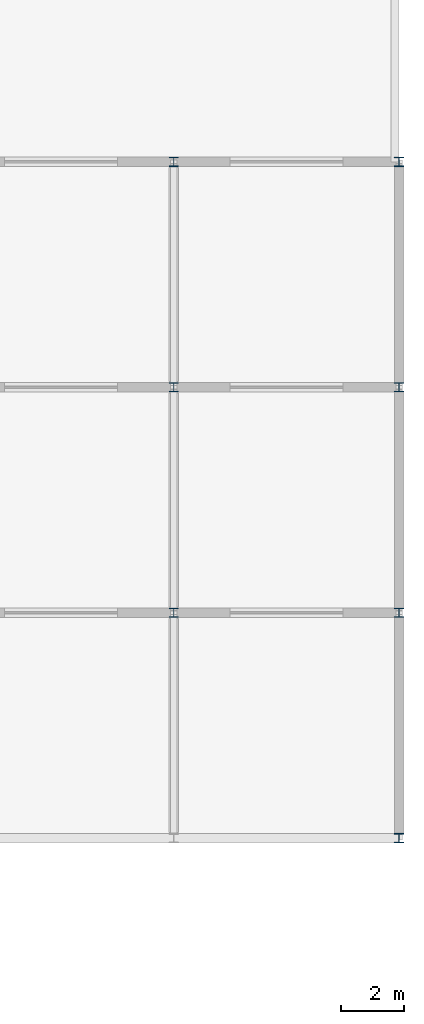
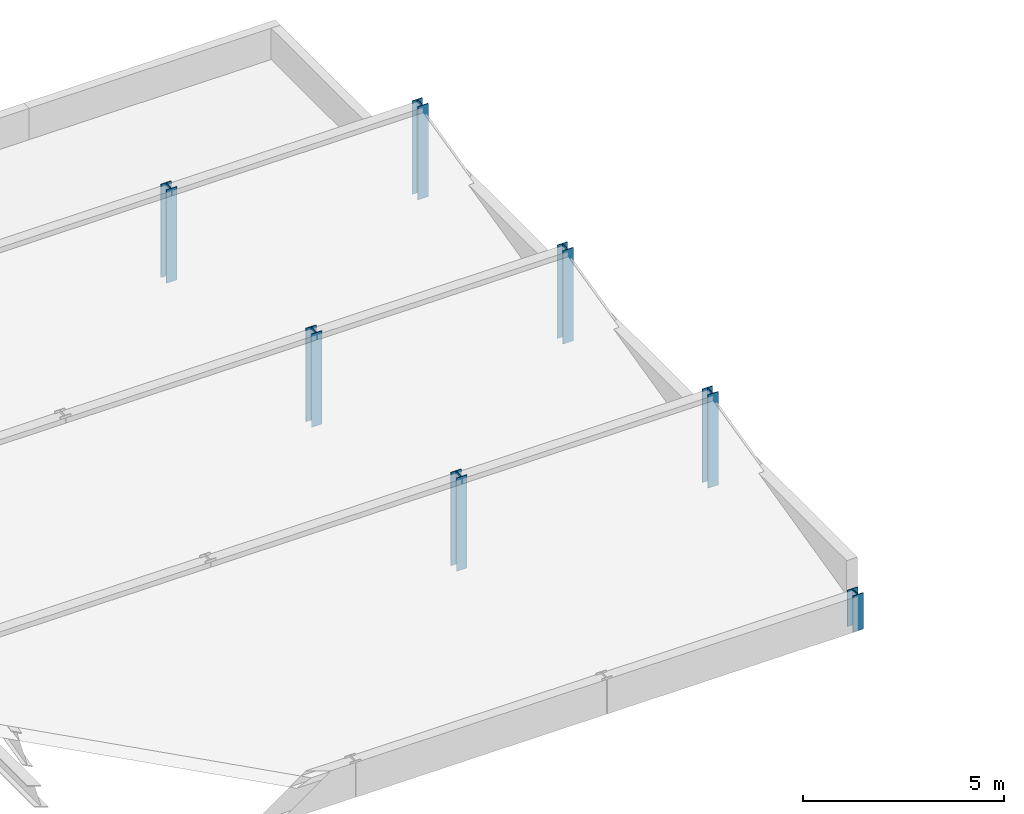
# One storey, part 6 of 19: 7 columns.
"""IFC4 building model written with IfcOpenShell, lengths in metres."""

from ifc_helpers import new_model, si_unit, direction, frame, origin, origin_2d, place, context, subcontext, project, spatial, i_section, extrude, material, material_profile, profile_set, type_object, element, save


model = new_model("IFC4")

# Units and contexts
model_context = context("Model", 3, precision=1e-05, world=origin(), true_north=direction((0.0, 1.0)))
body_context = subcontext(model_context, "Body", "Model", "MODEL_VIEW")
ifc_project = project(units=[si_unit("LENGTHUNIT", "METRE"), si_unit("AREAUNIT", "SQUARE_METRE"), si_unit("VOLUMEUNIT", "CUBIC_METRE"), si_unit("PLANEANGLEUNIT", "RADIAN"), si_unit("MASSUNIT", "GRAM", prefix="KILO")], contexts=[model_context])

# Site, building, storey
site_placement = place(None, origin())
site = spatial("IfcSite", under=ifc_project, at=site_placement, CompositionType="ELEMENT")
building_placement = place(site_placement, origin())
building = spatial("IfcBuilding", under=site, at=building_placement, Name="Thalmaran Polytechnic", CompositionType="ELEMENT")
storey_placement = place(building_placement, frame((0.0, 0.0, 26.699951171875)))
storey = spatial("IfcBuildingStorey", under=building, at=storey_placement, Name="L06", CompositionType="ELEMENT", Elevation=26.699951171875)

# Columns
ifc_material = material(Name="Steel S355", Category="steel")
ifc_material_profile = material_profile(ifc_material, i_section(OverallWidth=0.300048828125, OverallDepth=0.300048828125, WebThickness=0.010986328125, FlangeThickness=0.01904296875, at=origin_2d()), Name="HEB 300")
ifc_profile_set = profile_set([ifc_material_profile], Name="Steel S355")
column_type = type_object("IfcColumnType", Name="COL-SC2", PredefinedType="COLUMN", material=ifc_profile_set)
for number, where, z_axis, x_axis, name in (
    (1, (64.800048828125, 100.800048828125, 0.0), (0.0, 0.0, 1.0), (1.0, 0.0, 0.0), "Library Sawtooth Post G09x14"),
    (2, (64.800048828125, 108.0, 0.0), (0.0, 0.0, 1.0), (1.0, 0.0, 0.0), "Library Sawtooth Post G09x15"),
    (3, (64.800048828125, 115.199951171875, 0.0), (0.0, 0.0, 1.0), (1.0, 0.0, 0.0), "Library Sawtooth Post G09x16"),
):
    element("IfcColumn", number, at=place(storey_placement, frame(where, z_axis=z_axis, x_axis=x_axis)), inside=storey, type_object=column_type, Name=name, PredefinedType="COLUMN", context=body_context, shape_type="SweptSolid", body=[
        extrude(i_section(OverallWidth=0.300048828125, OverallDepth=0.300048828125, WebThickness=0.010986328125, FlangeThickness=0.01904296875, at=origin_2d()), origin(), (0.0, 0.0, 1.0), 2.82861328125),
    ])
column_placement = place(storey_placement, frame((72.0, 93.60009765625, 0.0), z_axis=(0.0, 0.0, 1.0), x_axis=(1.0, 0.0, 0.0)))
element("IfcColumn", 4, at=column_placement, inside=storey, type_object=column_type, Name="Library Sawtooth Post G10x13", PredefinedType="COLUMN", context=body_context, shape_type="SweptSolid", body=[
    extrude(i_section(OverallWidth=0.300048828125, OverallDepth=0.300048828125, WebThickness=0.010986328125, FlangeThickness=0.01904296875, at=origin_2d()), origin(), (0.0, 0.0, 1.0), 1.10009765625),
])
for number, where, z_axis, x_axis, name in (
    (5, (72.0, 100.800048828125, 0.0), (0.0, 0.0, 1.0), (1.0, 0.0, 0.0), "Library Sawtooth Post G10x14"),
    (6, (72.0, 108.0, 0.0), (0.0, 0.0, 1.0), (1.0, 0.0, 0.0), "Library Sawtooth Post G10x15"),
    (7, (72.0, 115.199951171875, 0.0), (0.0, 0.0, 1.0), (1.0, 0.0, 0.0), "Library Sawtooth Post G10x16"),
):
    element("IfcColumn", number, at=place(storey_placement, frame(where, z_axis=z_axis, x_axis=x_axis)), inside=storey, type_object=column_type, Name=name, PredefinedType="COLUMN", context=body_context, shape_type="SweptSolid", body=[
        extrude(i_section(OverallWidth=0.300048828125, OverallDepth=0.300048828125, WebThickness=0.010986328125, FlangeThickness=0.01904296875, at=origin_2d()), origin(), (0.0, 0.0, 1.0), 2.82861328125),
    ])

save(model, "model.ifc")
